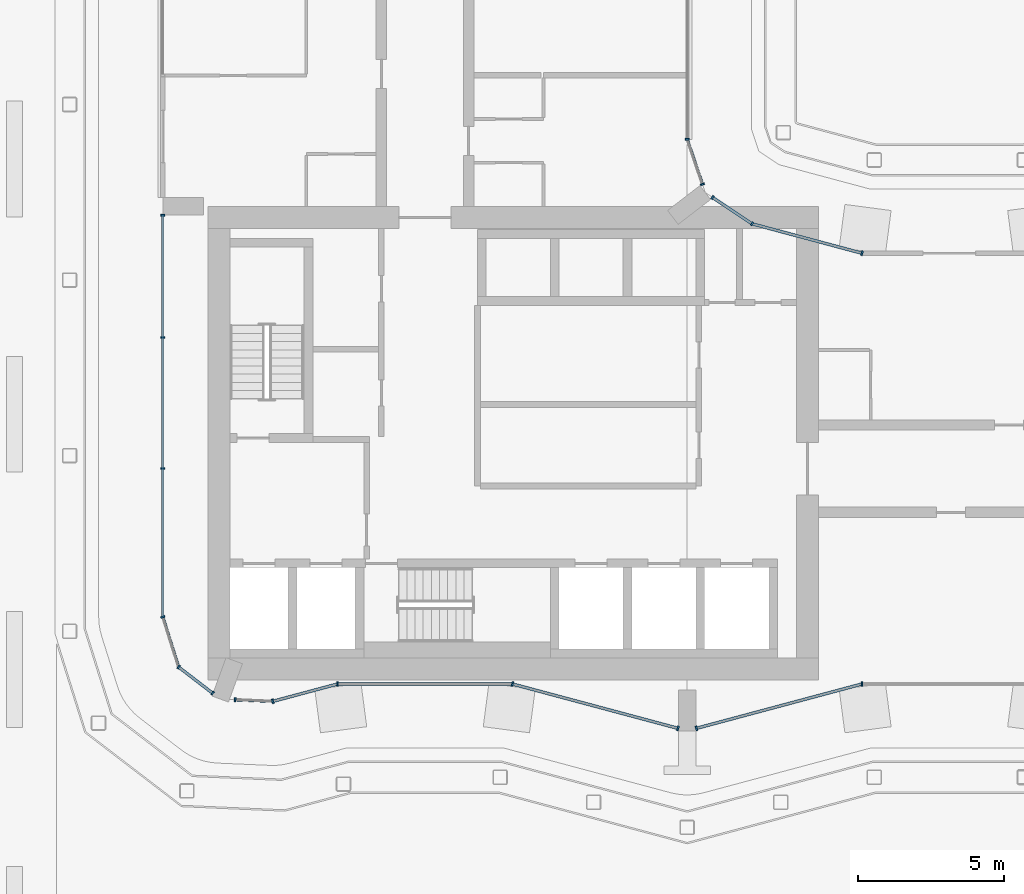
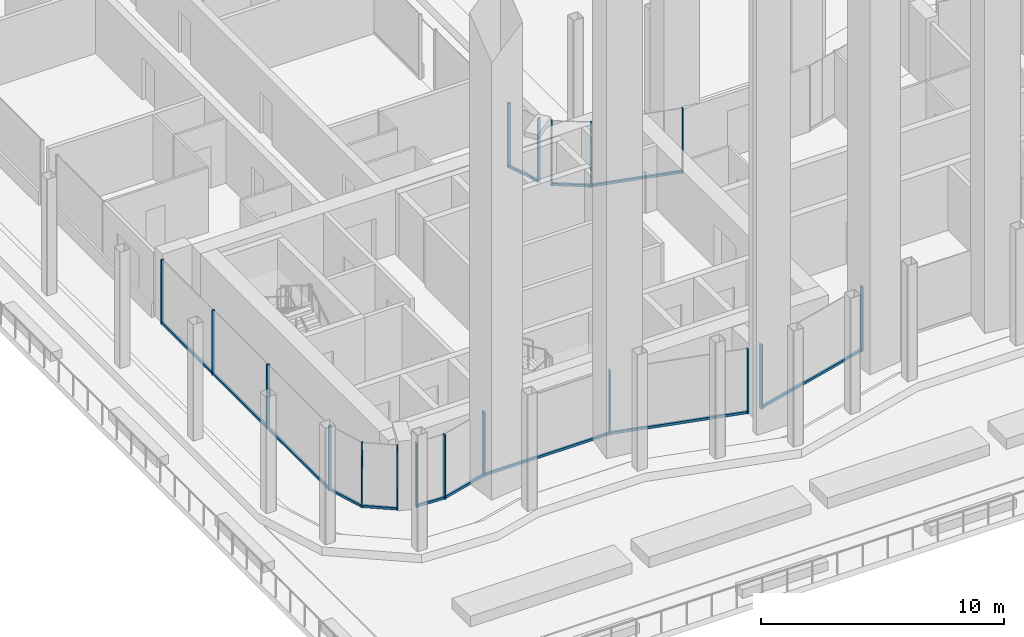
# One storey, part 7 of 33: 29 members, 13 elements without a shape of their own.
"""IFC4 building model written with IfcOpenShell, lengths in metres."""

from ifc_helpers import new_model, si_unit, direction, frame, origin, origin_2d, place, context, subcontext, project, spatial, rectangle, extrude, material, layer, layer_set, material_profile, profile_set, type_object, element, aggregate, save


model = new_model("IFC4")

# Units and contexts
model_context = context("Model", 3, precision=1e-05, world=origin(), true_north=direction((0.0, 1.0)))
body_context = subcontext(model_context, "Body", "Model", "MODEL_VIEW")
ifc_project = project(units=[si_unit("LENGTHUNIT", "METRE"), si_unit("AREAUNIT", "SQUARE_METRE"), si_unit("VOLUMEUNIT", "CUBIC_METRE"), si_unit("PLANEANGLEUNIT", "RADIAN"), si_unit("MASSUNIT", "GRAM", prefix="KILO")], contexts=[model_context])

# Site, building, storey
site_placement = place(None, origin())
site = spatial("IfcSite", under=ifc_project, at=site_placement, CompositionType="ELEMENT")
building_placement = place(site_placement, origin())
building = spatial("IfcBuilding", under=site, at=building_placement, Name="Plateau Cross Towers", CompositionType="ELEMENT")
storey_placement = place(building_placement, frame((0.0, 0.0, 26.800048828125)))
storey = spatial("IfcBuildingStorey", under=building, at=storey_placement, Name="L05", CompositionType="ELEMENT", Elevation=26.800048828125)

# Curtain wall, members
ifc_material_1 = material(Name="Dark low-iron glass", Category="glass")
ifc_layer_1 = layer(ifc_material_1, 0.239990234375)
ifc_layer_set_1 = layer_set([ifc_layer_1], Name="Dark low-iron glass")
curtain_wall_type_1 = type_object("IfcCurtainWallType", Name="Curtain wall flush unitised CW-B", PredefinedType="NOTDEFINED", material=ifc_layer_set_1)
curtain_wall_1_placement = place(storey_placement, origin())
curtain_wall_1 = element("IfcCurtainWall", 1, at=curtain_wall_1_placement, inside=storey, type_object=curtain_wall_type_1, Name="ENV/A/L05/A202_174", PredefinedType="NOTDEFINED")
ifc_material_2 = material(Name="Black anodised aluminium", Category="aluminium")
ifc_material_profile_1 = material_profile(ifc_material_2, rectangle(XDim=0.06005859375, YDim=0.139892578125, at=origin_2d()), Name="MULLION 60x140")
ifc_profile_set_1 = profile_set([ifc_material_profile_1], Name="Black anodised aluminium")
member_type_1 = type_object("IfcMemberType", Name="Mullion 60x140 flush unitised", PredefinedType="MULLION", material=ifc_profile_set_1)
member_1_placement = place(storey_placement, frame((20.223876953125, 17.404296875, 0.0), z_axis=(0.0, 0.0, 1.0), x_axis=(-0.831521253329, 0.555492938984, 0.0)))
member_1 = element("IfcMember", 2, at=member_1_placement, type_object=member_type_1, Name="CW-B mullion 1", PredefinedType="MULLION", context=body_context, shape_type="SweptSolid", body=[
    extrude(rectangle(XDim=0.06005859375, YDim=0.139892578125, at=origin_2d()), origin(), (0.0, 0.0, 1.0), 3.25),
])
member_2_placement = place(storey_placement, frame((18.86962890625, 18.30908203125, 0.0), z_axis=(0.0, 0.0, 1.0), x_axis=(-0.831521253329, 0.555492938984, 0.0)))
member_2 = element("IfcMember", 3, at=member_2_placement, type_object=member_type_1, Name="CW-B mullion 2", PredefinedType="MULLION", context=body_context, shape_type="SweptSolid", body=[
    extrude(rectangle(XDim=0.06005859375, YDim=0.139892578125, at=origin_2d()), origin(), (0.0, 0.0, 1.0), 3.25),
])

# Curtain wall, member
curtain_wall_2_placement = place(storey_placement, origin())
curtain_wall_2 = element("IfcCurtainWall", 4, at=curtain_wall_2_placement, inside=storey, type_object=curtain_wall_type_1, Name="ENV/A/L05/A185_188", PredefinedType="NOTDEFINED")
member_3_placement = place(storey_placement, frame((18.523681640625, 18.760009765625, 0.0), z_axis=(0.0, 0.0, 1.0), x_axis=(-0.321469161574, 0.94692004845, 0.0)))
member_3 = element("IfcMember", 5, at=member_3_placement, type_object=member_type_1, Name="CW-B mullion 1", PredefinedType="MULLION", context=body_context, shape_type="SweptSolid", body=[
    extrude(rectangle(XDim=0.06005859375, YDim=0.139892578125, at=origin_2d()), origin(), (0.0, 0.0, 1.0), 3.25),
])

curtain_wall_3_placement = place(storey_placement, origin())
curtain_wall_3 = element("IfcCurtainWall", 6, at=curtain_wall_3_placement, inside=storey, type_object=curtain_wall_type_1, Name="ENV/A/L05/A180_203", PredefinedType="NOTDEFINED")
member_4_placement = place(storey_placement, frame((18.0, 20.30224609375, 0.0), z_axis=(0.0, 0.0, 1.0), x_axis=(0.0, 1.0, 0.0)))
member_4 = element("IfcMember", 7, at=member_4_placement, type_object=member_type_1, Name="CW-B mullion 1", PredefinedType="MULLION", context=body_context, shape_type="SweptSolid", body=[
    extrude(rectangle(XDim=0.06005859375, YDim=0.139892578125, at=origin_2d()), origin(), (0.0, 0.0, 1.0), 3.25),
])
aggregate(curtain_wall_3, [member_4])

# Curtain wall, members
curtain_wall_4_placement = place(storey_placement, origin())
curtain_wall_4 = element("IfcCurtainWall", 8, at=curtain_wall_4_placement, inside=storey, type_object=curtain_wall_type_1, Name="ENV/A/L05/A0_177", PredefinedType="NOTDEFINED")
member_5_placement = place(storey_placement, frame((0.0, 17.699951171875, 0.0), z_axis=(0.0, 0.0, 1.0), x_axis=(0.0, -1.0, 0.0)))
member_5 = element("IfcMember", 9, at=member_5_placement, type_object=member_type_1, Name="CW-B mullion 1", PredefinedType="MULLION", context=body_context, shape_type="SweptSolid", body=[
    extrude(rectangle(XDim=0.06005859375, YDim=0.139892578125, at=origin_2d()), origin(), (0.0, 0.0, 1.0), 3.25),
])
member_6_placement = place(storey_placement, frame((0.0, 13.5, 0.0), z_axis=(0.0, 0.0, 1.0), x_axis=(0.0, -1.0, 0.0)))
member_6 = element("IfcMember", 10, at=member_6_placement, type_object=member_type_1, Name="CW-B mullion 2", PredefinedType="MULLION", context=body_context, shape_type="SweptSolid", body=[
    extrude(rectangle(XDim=0.06005859375, YDim=0.139892578125, at=origin_2d()), origin(), (0.0, 0.0, 1.0), 3.25),
])
member_7_placement = place(storey_placement, frame((0.0, 9.0, 0.0), z_axis=(0.0, 0.0, 1.0), x_axis=(0.0, -1.0, 0.0)))
member_7 = element("IfcMember", 11, at=member_7_placement, type_object=member_type_1, Name="CW-B mullion 3", PredefinedType="MULLION", context=body_context, shape_type="SweptSolid", body=[
    extrude(rectangle(XDim=0.06005859375, YDim=0.139892578125, at=origin_2d()), origin(), (0.0, 0.0, 1.0), 3.25),
])

# Curtain wall, member
curtain_wall_5_placement = place(storey_placement, origin())
curtain_wall_5 = element("IfcCurtainWall", 12, at=curtain_wall_5_placement, inside=storey, type_object=curtain_wall_type_1, Name="ENV/A/L05/A0_39", PredefinedType="NOTDEFINED")
member_8_placement = place(storey_placement, frame((0.0, 3.9091796875, 0.0), z_axis=(0.0, 0.0, 1.0), x_axis=(0.300686174994, -0.95372313811, 0.0)))
member_8 = element("IfcMember", 13, at=member_8_placement, type_object=member_type_1, Name="CW-B mullion 1", PredefinedType="MULLION", context=body_context, shape_type="SweptSolid", body=[
    extrude(rectangle(XDim=0.06005859375, YDim=0.139892578125, at=origin_2d()), origin(), (0.0, 0.0, 1.0), 3.25),
])

# Curtain wall, members
curtain_wall_6_placement = place(storey_placement, origin())
curtain_wall_6 = element("IfcCurtainWall", 14, at=curtain_wall_6_placement, inside=storey, type_object=curtain_wall_type_1, Name="ENV/A/L05/A5_22", PredefinedType="NOTDEFINED")
member_9_placement = place(storey_placement, frame((0.54248046875, 2.1884765625, 0.0), z_axis=(0.0, 0.0, 1.0), x_axis=(0.793315514529, -0.608810721331, 0.0)))
member_9 = element("IfcMember", 15, at=member_9_placement, type_object=member_type_1, Name="CW-B mullion 1", PredefinedType="MULLION", context=body_context, shape_type="SweptSolid", body=[
    extrude(rectangle(XDim=0.06005859375, YDim=0.139892578125, at=origin_2d()), origin(), (0.0, 0.0, 1.0), 3.25),
])
member_10_placement = place(storey_placement, frame((1.709716796875, 1.292724609375, 0.0), z_axis=(0.0, 0.0, 1.0), x_axis=(0.793315514529, -0.608810721331, 0.0)))
member_10 = element("IfcMember", 16, at=member_10_placement, type_object=member_type_1, Name="CW-B mullion 2", PredefinedType="MULLION", context=body_context, shape_type="SweptSolid", body=[
    extrude(rectangle(XDim=0.06005859375, YDim=0.139892578125, at=origin_2d()), origin(), (0.0, 0.0, 1.0), 3.25),
])

# Curtain wall, member
curtain_wall_7_placement = place(storey_placement, origin())
curtain_wall_7 = element("IfcCurtainWall", 17, at=curtain_wall_7_placement, inside=storey, type_object=curtain_wall_type_1, Name="ENV/A/L05/A25_11", PredefinedType="NOTDEFINED")
member_11_placement = place(storey_placement, frame((2.483642578125, 1.06787109375, 0.0), z_axis=(0.0, 0.0, 1.0), x_axis=(0.999043701491, -0.043722791671, 0.0)))
member_11 = element("IfcMember", 18, at=member_11_placement, type_object=member_type_1, Name="CW-B mullion 1", PredefinedType="MULLION", context=body_context, shape_type="SweptSolid", body=[
    extrude(rectangle(XDim=0.06005859375, YDim=0.139892578125, at=origin_2d()), origin(), (0.0, 0.0, 1.0), 3.25),
])

ifc_layer_2 = layer(ifc_material_1, 0.260009765625)
ifc_layer_set_2 = layer_set([ifc_layer_2], Name="Dark low-iron glass")
curtain_wall_type_2 = type_object("IfcCurtainWallType", Name="Curtain wall fluted unitised CW-A", PredefinedType="NOTDEFINED", material=ifc_layer_set_2)
curtain_wall_8_placement = place(storey_placement, origin())
curtain_wall_8 = element("IfcCurtainWall", 19, at=curtain_wall_8_placement, inside=storey, type_object=curtain_wall_type_2, Name="ENV/A/L05/A38_10", PredefinedType="NOTDEFINED")
ifc_material_profile_2 = material_profile(ifc_material_2, rectangle(XDim=0.06005859375, YDim=0.159912109375, at=origin_2d()), Name="MULLION 60x160")
ifc_profile_set_2 = profile_set([ifc_material_profile_2], Name="Black anodised aluminium")
member_type_2 = type_object("IfcMemberType", Name="Mullion 60x160 fluted unitised", PredefinedType="MULLION", material=ifc_profile_set_2)
member_12_placement = place(storey_placement, frame((3.776123046875, 1.01123046875, 0.0), z_axis=(0.0, 0.0, 1.0), x_axis=(0.965957962328, 0.258699081978, 0.0)))
member_12 = element("IfcMember", 20, at=member_12_placement, type_object=member_type_2, Name="CW-A mullion 1", PredefinedType="MULLION", context=body_context, shape_type="SweptSolid", body=[
    extrude(rectangle(XDim=0.06005859375, YDim=0.159912109375, at=origin_2d()), origin(), (0.0, 0.0, 1.0), 3.25),
])

curtain_wall_9_placement = place(storey_placement, origin())
curtain_wall_9 = element("IfcCurtainWall", 21, at=curtain_wall_9_placement, inside=storey, type_object=curtain_wall_type_2, Name="ENV/A/L05/A60_16", PredefinedType="NOTDEFINED")
member_13_placement = place(storey_placement, frame((6.0, 1.60693359375, 0.0), z_axis=(0.0, 0.0, 1.0), x_axis=(1.0, 0.0, 0.0)))
member_13 = element("IfcMember", 22, at=member_13_placement, type_object=member_type_2, Name="CW-A mullion 1", PredefinedType="MULLION", context=body_context, shape_type="SweptSolid", body=[
    extrude(rectangle(XDim=0.06005859375, YDim=0.159912109375, at=origin_2d()), origin(), (0.0, 0.0, 1.0), 3.25),
])

# Curtain wall, members
curtain_wall_10_placement = place(storey_placement, origin())
curtain_wall_10 = element("IfcCurtainWall", 23, at=curtain_wall_10_placement, inside=storey, type_object=curtain_wall_type_2, Name="ENV/A/L05/A120_16", PredefinedType="NOTDEFINED")
member_14_placement = place(storey_placement, frame((12.0, 1.60693359375, 0.0), z_axis=(0.0, 0.0, 1.0), x_axis=(0.965957983404, -0.258699003279, 0.0)))
member_14 = element("IfcMember", 24, at=member_14_placement, type_object=member_type_2, Name="CW-A mullion 1", PredefinedType="MULLION", context=body_context, shape_type="SweptSolid", body=[
    extrude(rectangle(XDim=0.06005859375, YDim=0.159912109375, at=origin_2d()), origin(), (0.0, 0.0, 1.0), 3.25),
])
member_15_placement = place(storey_placement, frame((17.68212890625, 0.085205078125, 0.0), z_axis=(0.0, 0.0, 1.0), x_axis=(0.965957983404, -0.258699003279, 0.0)))
member_15 = element("IfcMember", 25, at=member_15_placement, type_object=member_type_2, Name="CW-A mullion 2", PredefinedType="MULLION", context=body_context, shape_type="SweptSolid", body=[
    extrude(rectangle(XDim=0.06005859375, YDim=0.159912109375, at=origin_2d()), origin(), (0.0, 0.0, 1.0), 3.25),
])

# Curtain wall, member
curtain_wall_11_placement = place(storey_placement, origin())
curtain_wall_11 = element("IfcCurtainWall", 26, at=curtain_wall_11_placement, inside=storey, type_object=curtain_wall_type_2, Name="ENV/A/L05/A183_1", PredefinedType="NOTDEFINED")
member_16_placement = place(storey_placement, frame((18.31787109375, 0.085205078125, 0.0), z_axis=(0.0, 0.0, 1.0), x_axis=(0.965957983404, 0.258699003279, 0.0)))
member_16 = element("IfcMember", 27, at=member_16_placement, type_object=member_type_2, Name="CW-A mullion 1", PredefinedType="MULLION", context=body_context, shape_type="SweptSolid", body=[
    extrude(rectangle(XDim=0.06005859375, YDim=0.159912109375, at=origin_2d()), origin(), (0.0, 0.0, 1.0), 3.25),
])

curtain_wall_12_placement = place(storey_placement, origin())
curtain_wall_12 = element("IfcCurtainWall", 28, at=curtain_wall_12_placement, inside=storey, type_object=curtain_wall_type_2, Name="ENV/A/L05/A240_16", PredefinedType="NOTDEFINED")
member_17_placement = place(storey_placement, frame((24.0, 1.60693359375, 0.0), z_axis=(0.0, 0.0, 1.0), x_axis=(1.0, 0.0, 0.0)))
member_17 = element("IfcMember", 29, at=member_17_placement, type_object=member_type_2, Name="CW-A mullion 1", PredefinedType="MULLION", context=body_context, shape_type="SweptSolid", body=[
    extrude(rectangle(XDim=0.06005859375, YDim=0.159912109375, at=origin_2d()), origin(), (0.0, 0.0, 1.0), 3.25),
])
aggregate(curtain_wall_12, [member_17])

curtain_wall_13_placement = place(storey_placement, origin())
curtain_wall_13 = element("IfcCurtainWall", 30, at=curtain_wall_13_placement, inside=storey, type_object=curtain_wall_type_2, Name="ENV/A/L05/A240_164", PredefinedType="NOTDEFINED")
member_18_placement = place(storey_placement, frame((24.0, 16.39306640625, 0.0), z_axis=(0.0, 0.0, 1.0), x_axis=(-0.965957995816, 0.258698956933, 0.0)))
member_18 = element("IfcMember", 31, at=member_18_placement, type_object=member_type_2, Name="CW-A mullion 1", PredefinedType="MULLION", context=body_context, shape_type="SweptSolid", body=[
    extrude(rectangle(XDim=0.06005859375, YDim=0.159912109375, at=origin_2d()), origin(), (0.0, 0.0, 1.0), 3.25),
])

# Member
ifc_material_profile_3 = material_profile(ifc_material_2, rectangle(XDim=0.10009765625, YDim=0.1201171875, at=origin_2d()), Name="TRANSOM 100x120")
ifc_profile_set_3 = profile_set([ifc_material_profile_3], Name="Black anodised aluminium")
member_type_3 = type_object("IfcMemberType", Name="Transom 100x120 flush unitised", PredefinedType="USERDEFINED", material=ifc_profile_set_3)
member_19_placement = place(storey_placement, frame((20.223876953125, 17.404296875, 0.06005859375), z_axis=(-0.831496402487, 0.555530136582, 0.0), x_axis=(-0.555530136582, -0.831496402487, 0.0)))
member_19 = element("IfcMember", 32, at=member_19_placement, type_object=member_type_3, Name="CW-B transom", ObjectType="TRANSOM", PredefinedType="USERDEFINED", context=body_context, shape_type="SweptSolid", body=[
    extrude(rectangle(XDim=0.10009765625, YDim=0.1201171875, at=origin_2d()), origin(), (0.0, 0.0, 1.0), 1.628662109375),
])

aggregate(curtain_wall_1, [member_1, member_2, member_19])

member_20_placement = place(storey_placement, frame((18.523681640625, 18.760009765625, 0.06005859375), z_axis=(-0.321529174838, 0.946899672472, 0.0), x_axis=(-0.946899672472, -0.321529174838, 0.0)))
member_20 = element("IfcMember", 33, at=member_20_placement, type_object=member_type_3, Name="CW-B transom", ObjectType="TRANSOM", PredefinedType="USERDEFINED", context=body_context, shape_type="SweptSolid", body=[
    extrude(rectangle(XDim=0.10009765625, YDim=0.1201171875, at=origin_2d()), origin(), (0.0, 0.0, 1.0), 1.628662109375),
])

aggregate(curtain_wall_2, [member_3, member_20])

member_21_placement = place(storey_placement, frame((0.0, 17.699951171875, 0.06005859375), z_axis=(0.0, -1.0, 0.0), x_axis=(1.0, 0.0, 0.0)))
member_21 = element("IfcMember", 34, at=member_21_placement, type_object=member_type_3, Name="CW-B transom", ObjectType="TRANSOM", PredefinedType="USERDEFINED", context=body_context, shape_type="SweptSolid", body=[
    extrude(rectangle(XDim=0.10009765625, YDim=0.1201171875, at=origin_2d()), origin(), (0.0, 0.0, 1.0), 13.790771484375),
])

aggregate(curtain_wall_4, [member_5, member_6, member_7, member_21])

member_22_placement = place(storey_placement, frame((0.0, 3.9091796875, 0.06005859375), z_axis=(0.30067799945, -0.953725715626, 0.0), x_axis=(0.953725715626, 0.30067799945, 0.0)))
member_22 = element("IfcMember", 35, at=member_22_placement, type_object=member_type_3, Name="CW-B transom", ObjectType="TRANSOM", PredefinedType="USERDEFINED", context=body_context, shape_type="SweptSolid", body=[
    extrude(rectangle(XDim=0.10009765625, YDim=0.1201171875, at=origin_2d()), origin(), (0.0, 0.0, 1.0), 1.80419921875),
])

aggregate(curtain_wall_5, [member_8, member_22])

member_23_placement = place(storey_placement, frame((0.54248046875, 2.1884765625, 0.06005859375), z_axis=(0.793320508571, -0.608804213751, 0.0), x_axis=(0.608804213751, 0.793320508571, 0.0)))
member_23 = element("IfcMember", 36, at=member_23_placement, type_object=member_type_3, Name="CW-B transom", ObjectType="TRANSOM", PredefinedType="USERDEFINED", context=body_context, shape_type="SweptSolid", body=[
    extrude(rectangle(XDim=0.10009765625, YDim=0.1201171875, at=origin_2d()), origin(), (0.0, 0.0, 1.0), 1.471435546875),
])

aggregate(curtain_wall_6, [member_9, member_10, member_23])

member_24_placement = place(storey_placement, frame((2.483642578125, 1.06787109375, 0.06005859375), z_axis=(0.999041144614, -0.043781175963, 0.0), x_axis=(0.043781175963, 0.999041144614, 0.0)))
member_24 = element("IfcMember", 37, at=member_24_placement, type_object=member_type_3, Name="CW-B transom", ObjectType="TRANSOM", PredefinedType="USERDEFINED", context=body_context, shape_type="SweptSolid", body=[
    extrude(rectangle(XDim=0.10009765625, YDim=0.1201171875, at=origin_2d()), origin(), (0.0, 0.0, 1.0), 1.293701171875),
])

aggregate(curtain_wall_7, [member_11, member_24])

ifc_material_profile_4 = material_profile(ifc_material_2, rectangle(XDim=0.10009765625, YDim=0.1201171875, at=origin_2d()), Name="TRANSOM 100x120")
ifc_profile_set_4 = profile_set([ifc_material_profile_4], Name="Black anodised aluminium")
member_type_4 = type_object("IfcMemberType", Name="Transom 100x120 fluted unitised", PredefinedType="USERDEFINED", material=ifc_profile_set_4)
member_25_placement = place(storey_placement, frame((3.776123046875, 1.01123046875, 0.06005859375), z_axis=(0.965945685136, 0.258744919501, 0.0), x_axis=(-0.258744919501, 0.965945685136, 0.0)))
member_25 = element("IfcMember", 38, at=member_25_placement, type_object=member_type_4, Name="CW-A transom", ObjectType="TRANSOM", PredefinedType="USERDEFINED", context=body_context, shape_type="SweptSolid", body=[
    extrude(rectangle(XDim=0.10009765625, YDim=0.1201171875, at=origin_2d()), origin(), (0.0, 0.0, 1.0), 2.30224609375),
])

aggregate(curtain_wall_8, [member_12, member_25])

member_26_placement = place(storey_placement, frame((6.0, 1.60693359375, 0.06005859375), z_axis=(1.0, 0.0, 0.0), x_axis=(0.0, 1.0, 0.0)))
member_26 = element("IfcMember", 39, at=member_26_placement, type_object=member_type_4, Name="CW-A transom", ObjectType="TRANSOM", PredefinedType="USERDEFINED", context=body_context, shape_type="SweptSolid", body=[
    extrude(rectangle(XDim=0.10009765625, YDim=0.1201171875, at=origin_2d()), origin(), (0.0, 0.0, 1.0), 6.0),
])

aggregate(curtain_wall_9, [member_13, member_26])

member_27_placement = place(storey_placement, frame((12.0, 1.60693359375, 0.06005859375), z_axis=(0.965959534794, -0.258693210465, 0.0), x_axis=(0.258693210465, 0.965959534794, 0.0)))
member_27 = element("IfcMember", 40, at=member_27_placement, type_object=member_type_4, Name="CW-A transom", ObjectType="TRANSOM", PredefinedType="USERDEFINED", context=body_context, shape_type="SweptSolid", body=[
    extrude(rectangle(XDim=0.10009765625, YDim=0.1201171875, at=origin_2d()), origin(), (0.0, 0.0, 1.0), 5.88232421875),
])

aggregate(curtain_wall_10, [member_14, member_15, member_27])

member_28_placement = place(storey_placement, frame((18.31787109375, 0.085205078125, 0.06005859375), z_axis=(0.965959534794, 0.258693210465, 0.0), x_axis=(-0.258693210465, 0.965959534794, 0.0)))
member_28 = element("IfcMember", 41, at=member_28_placement, type_object=member_type_4, Name="CW-A transom", ObjectType="TRANSOM", PredefinedType="USERDEFINED", context=body_context, shape_type="SweptSolid", body=[
    extrude(rectangle(XDim=0.10009765625, YDim=0.1201171875, at=origin_2d()), origin(), (0.0, 0.0, 1.0), 5.88232421875),
])

aggregate(curtain_wall_11, [member_16, member_28])

member_29_placement = place(storey_placement, frame((24.0, 16.39306640625, 0.06005859375), z_axis=(-0.965962822393, 0.25868093427, 0.0), x_axis=(-0.25868093427, -0.965962822393, 0.0)))
member_29 = element("IfcMember", 42, at=member_29_placement, type_object=member_type_4, Name="CW-A transom", ObjectType="TRANSOM", PredefinedType="USERDEFINED", context=body_context, shape_type="SweptSolid", body=[
    extrude(rectangle(XDim=0.10009765625, YDim=0.1201171875, at=origin_2d()), origin(), (0.0, 0.0, 1.0), 3.9091796875),
])

aggregate(curtain_wall_13, [member_18, member_29])

save(model, "model.ifc")
